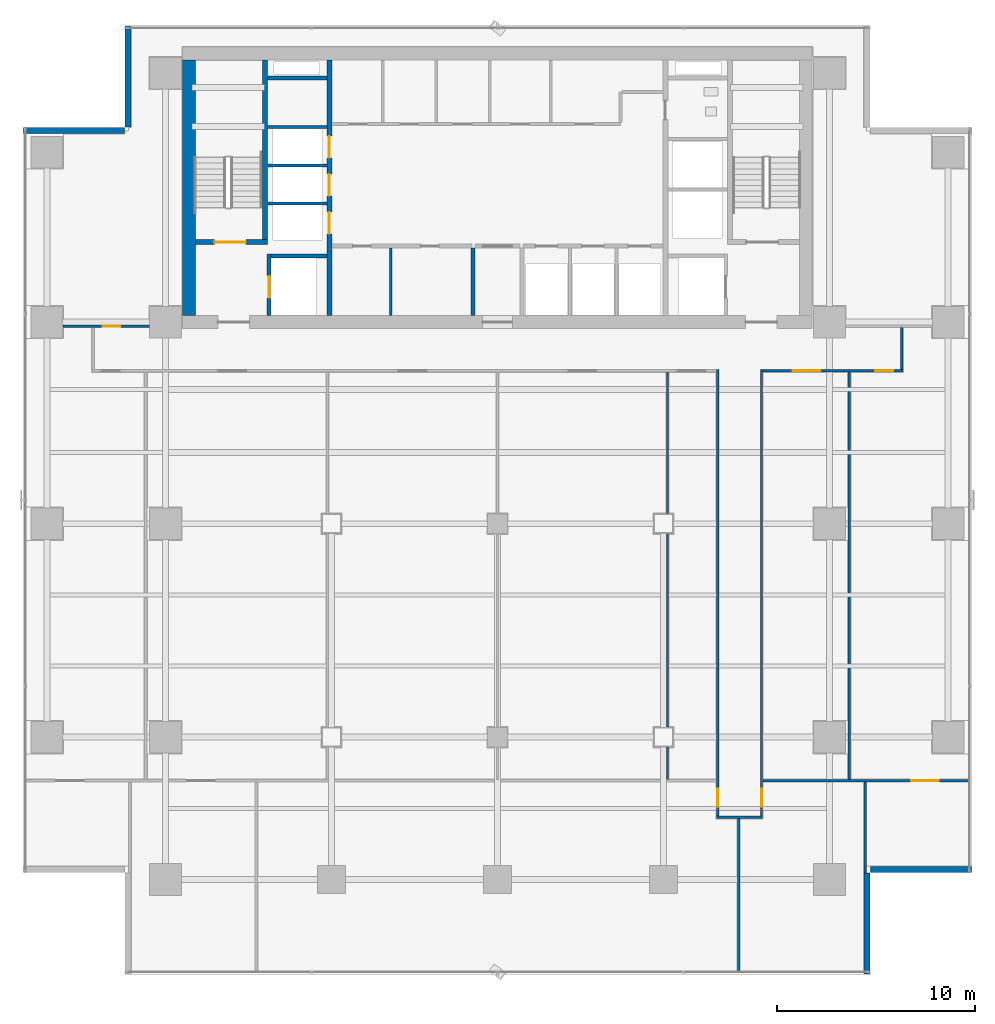
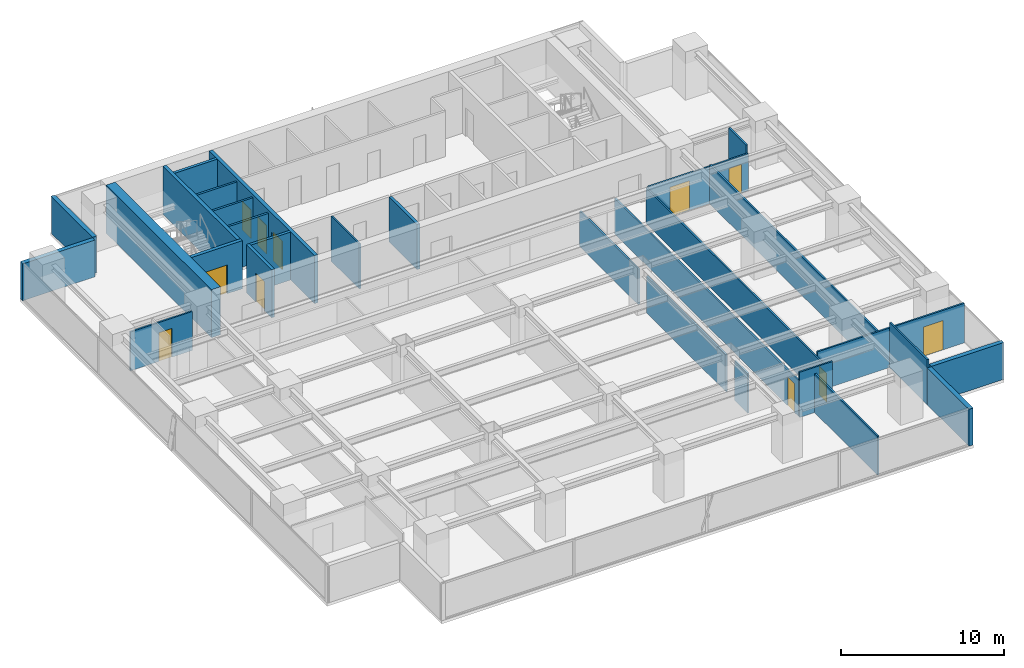
# One storey, part 21 of 28: 29 walls, 11 doors, 11 openings.
"""IFC4 building model written with IfcOpenShell, lengths in metres."""

from ifc_helpers import new_model, si_unit, direction, frame, frame_2d, origin, place, context, subcontext, project, spatial, rectangle, extrude, source, transform, mapped, material, layer, layer_set, type_object, element, fill, save


model = new_model("IFC4")

# Units and contexts
model_context = context("Model", 3, precision=1e-05, world=origin(), true_north=direction((0.0, 1.0)))
body_context = subcontext(model_context, "Body", "Model", "MODEL_VIEW")
ifc_project = project(units=[si_unit("LENGTHUNIT", "METRE"), si_unit("AREAUNIT", "SQUARE_METRE"), si_unit("VOLUMEUNIT", "CUBIC_METRE"), si_unit("PLANEANGLEUNIT", "RADIAN"), si_unit("MASSUNIT", "GRAM", prefix="KILO")], contexts=[model_context])

# Site, building, storey
site_placement = place(None, origin())
site = spatial("IfcSite", under=ifc_project, at=site_placement, CompositionType="ELEMENT")
building_placement = place(site_placement, origin())
building = spatial("IfcBuilding", under=site, at=building_placement, Name="Sumidabori Civic Tower", CompositionType="ELEMENT")
storey_placement = place(building_placement, frame((0.0, 0.0, 178.39990234375)))
storey = spatial("IfcBuildingStorey", under=building, at=storey_placement, Name="L46", CompositionType="ELEMENT", Elevation=178.39990234375)

# Walls
ifc_material_1 = material(Name="Concrete C50/60", Category="concrete")
ifc_layer_1 = layer(ifc_material_1, 0.199951171875, Name="Concrete C50/60")
ifc_layer_set_1 = layer_set([ifc_layer_1], Name="Concrete C50/60")
wall_type_1 = type_object("IfcWallType", Name="WL-SHAFT-200", PredefinedType="SHEAR", material=ifc_layer_set_1)
shared_shape_1 = source(origin(), body_context, "Body", "SweptSolid", [
    extrude(rectangle(XDim=2.824951171875, YDim=0.199951171875, at=frame_2d((1.41259765625, 0.0))), origin(), (0.0, 0.0, 1.0), 3.60009765625),
])
wall_1_placement = place(storey_placement, frame((-11.449951171875, 13.550048828125, 0.0), z_axis=(0.0, 0.0, 1.0), x_axis=(1.0, 0.0, 0.0)))
element("IfcWall", 1, at=wall_1_placement, inside=storey, type_object=wall_type_1, Name="Core Shear Wall L46 EL1-N", PredefinedType="SHEAR", context=body_context, shape_type="MappedRepresentation", body=[
    mapped(shared_shape_1, transform((0.0, 0.0, 0.0), x_axis=(1.0, 0.0, 0.0), y_axis=(0.0, 1.0, 0.0), z_axis=(0.0, 0.0, 1.0), scale=1.0)),
])
shared_shape_2 = source(origin(), body_context, "Body", "SweptSolid", [
    extrude(rectangle(XDim=3.02001953125, YDim=0.199951171875, at=frame_2d((1.510009765625, 0.0))), origin(), (0.0, 0.0, 1.0), 3.60009765625),
])
wall_2_placement = place(storey_placement, frame((-11.64501953125, 22.550048828125, 0.0), z_axis=(0.0, 0.0, 1.0), x_axis=(1.0, 0.0, 0.0)))
element("IfcWall", 2, at=wall_2_placement, inside=storey, type_object=wall_type_1, Name="Core Shear Wall L46 RIS1-S", PredefinedType="SHEAR", context=body_context, shape_type="MappedRepresentation", body=[
    mapped(shared_shape_2, transform((0.0, 0.0, 0.0), x_axis=(1.0, 0.0, 0.0), y_axis=(0.0, 1.0, 0.0), z_axis=(0.0, 0.0, 1.0), scale=1.0)),
])
ifc_material_2 = material(Name="Concrete C60/75", Category="concrete")
ifc_layer_2 = layer(ifc_material_2, 0.64990234375, Name="Concrete C60/75")
ifc_layer_set_2 = layer_set([ifc_layer_2], Name="Concrete C60/75")
wall_type_2 = type_object("IfcWallType", Name="WL-CORE-650", PredefinedType="SHEAR", material=ifc_layer_set_2)
shared_shape_3 = source(origin(), body_context, "Body", "SweptSolid", [
    extrude(rectangle(XDim=12.9501953125, YDim=0.64990234375, at=frame_2d((6.47509765625, 0.0))), origin(), (0.0, 0.0, 1.0), 3.60009765625),
])
wall_3_placement = place(storey_placement, frame((-15.60009765625, 10.52490234375, 0.0), z_axis=(0.0, 0.0, 1.0), x_axis=(0.0, 1.0, 0.0)))
element("IfcWall", 3, at=wall_3_placement, inside=storey, type_object=wall_type_2, Name="Core Shear Wall L46 W", PredefinedType="SHEAR", context=body_context, shape_type="MappedRepresentation", body=[
    mapped(shared_shape_3, transform((0.0, 0.0, 0.0), x_axis=(1.0, 0.0, 0.0), y_axis=(0.0, 1.0, 0.0), z_axis=(0.0, 0.0, 1.0), scale=1.0)),
])

# Wall, openings, doors
ifc_layer_3 = layer(ifc_material_1, 0.25, Name="Concrete C50/60")
ifc_layer_set_3 = layer_set([ifc_layer_3], Name="Concrete C50/60")
wall_type_3 = type_object("IfcWallType", Name="WL-SHAFT-250", PredefinedType="SHEAR", material=ifc_layer_set_3)
shared_shape_4 = source(origin(), body_context, "Body", "SweptSolid", [
    extrude(rectangle(XDim=12.9501953125, YDim=0.25, at=frame_2d((6.47509765625, 0.0))), origin(), (0.0, 0.0, 1.0), 3.60009765625),
])
wall_4_placement = place(storey_placement, frame((-8.5, 10.52490234375, 0.0), z_axis=(0.0, 0.0, 1.0), x_axis=(0.0, 1.0, 0.0)))
wall_4 = element("IfcWall", 4, at=wall_4_placement, inside=storey, type_object=wall_type_3, Name="Core Shear Wall L46 WEB-W", PredefinedType="SHEAR", context=body_context, shape_type="MappedRepresentation", body=[
    mapped(shared_shape_4, transform((0.0, 0.0, 0.0), x_axis=(1.0, 0.0, 0.0), y_axis=(0.0, 1.0, 0.0), z_axis=(0.0, 0.0, 1.0), scale=1.0)),
])
opening_1_placement = place(wall_4_placement, frame((4.14501953125, 0.0, 0.0)))
opening_1 = element("IfcOpeningElement", 5, at=opening_1_placement, cuts=wall_4, Name="Opening LD-1", PredefinedType="OPENING", context=body_context, shape_type="SweptSolid", body=[
    extrude(rectangle(XDim=1.10009765625, YDim=2.14990234375, at=frame_2d((0.550048828125, 1.074951171875))), frame((0.0, 0.136962890625, 0.0), z_axis=(0.0, -1.0, 0.0), x_axis=(1.0, 0.0, 0.0)), (0.0, 0.0, 1.0), 0.27392578125),
])
opening_2_placement = place(wall_4_placement, frame((6.06494140625, 0.0, 0.0)))
opening_2 = element("IfcOpeningElement", 6, at=opening_2_placement, cuts=wall_4, Name="Opening LD-1", PredefinedType="OPENING", context=body_context, shape_type="SweptSolid", body=[
    extrude(rectangle(XDim=1.10009765625, YDim=2.14990234375, at=frame_2d((0.550048828125, 1.074951171875))), frame((0.0, 0.136962890625, 0.0), z_axis=(0.0, -1.0, 0.0), x_axis=(1.0, 0.0, 0.0)), (0.0, 0.0, 1.0), 0.27392578125),
])
opening_3_placement = place(wall_4_placement, frame((7.985107421875, 0.0, 0.0)))
opening_3 = element("IfcOpeningElement", 7, at=opening_3_placement, cuts=wall_4, Name="Opening LD-1", PredefinedType="OPENING", context=body_context, shape_type="SweptSolid", body=[
    extrude(rectangle(XDim=1.10009765625, YDim=2.14990234375, at=frame_2d((0.550048828125, 1.074951171875))), frame((0.0, 0.136962890625, 0.0), z_axis=(0.0, -1.0, 0.0), x_axis=(1.0, 0.0, 0.0)), (0.0, 0.0, 1.0), 0.27392578125),
])
ifc_material_3 = material(Name="Stainless Steel Hairline Finish", Category="steel")
door_type_1 = type_object("IfcDoorType", Name="DR-LD1", OperationType="DOUBLE_DOOR_SLIDING", PredefinedType="DOOR", material=ifc_material_3)
shared_shape_5 = source(origin(), body_context, "Body", "SweptSolid", [
    extrude(rectangle(XDim=1.10009765625, YDim=2.14990234375, at=frame_2d((0.550048828125, 1.074951171875))), frame((0.0, 0.02490234375, 0.0), z_axis=(0.0, -1.0, 0.0), x_axis=(1.0, 0.0, 0.0)), (0.0, 0.0, 1.0), 0.050048828125),
])
door_1_placement = place(opening_1_placement, origin())
door_1 = element("IfcDoor", 8, at=door_1_placement, inside=storey, type_object=door_type_1, Name="Door DR:L46:LD-PLH1", OperationType="DOUBLE_DOOR_SLIDING", OverallHeight=2.14990234375, OverallWidth=1.10009765625, PredefinedType="DOOR", context=body_context, shape_type="MappedRepresentation", body=[
    mapped(shared_shape_5, transform((0.0, 0.0, 0.0), x_axis=(1.0, 0.0, 0.0), y_axis=(0.0, 1.0, 0.0), z_axis=(0.0, 0.0, 1.0), scale=1.0)),
])
fill(opening_1, door_1)
door_2_placement = place(opening_2_placement, origin())
door_2 = element("IfcDoor", 9, at=door_2_placement, inside=storey, type_object=door_type_1, Name="Door DR:L46:LD-PLH2", OperationType="DOUBLE_DOOR_SLIDING", OverallHeight=2.14990234375, OverallWidth=1.10009765625, PredefinedType="DOOR", context=body_context, shape_type="MappedRepresentation", body=[
    mapped(shared_shape_5, transform((0.0, 0.0, 0.0), x_axis=(1.0, 0.0, 0.0), y_axis=(0.0, 1.0, 0.0), z_axis=(0.0, 0.0, 1.0), scale=1.0)),
])
fill(opening_2, door_2)
door_3_placement = place(opening_3_placement, origin())
door_3 = element("IfcDoor", 10, at=door_3_placement, inside=storey, type_object=door_type_1, Name="Door DR:L46:LD-PLH3", OperationType="DOUBLE_DOOR_SLIDING", OverallHeight=2.14990234375, OverallWidth=1.10009765625, PredefinedType="DOOR", context=body_context, shape_type="MappedRepresentation", body=[
    mapped(shared_shape_5, transform((0.0, 0.0, 0.0), x_axis=(1.0, 0.0, 0.0), y_axis=(0.0, 1.0, 0.0), z_axis=(0.0, 0.0, 1.0), scale=1.0)),
])
fill(opening_3, door_3)

# Wall, opening, door
shared_shape_6 = source(origin(), body_context, "Body", "SweptSolid", [
    extrude(rectangle(XDim=3.6298828125, YDim=0.25, at=frame_2d((1.81494140625, 0.0))), origin(), (0.0, 0.0, 1.0), 3.60009765625),
])
wall_5_placement = place(storey_placement, frame((-15.27490234375, 14.25, 0.0), z_axis=(0.0, 0.0, 1.0), x_axis=(1.0, 0.0, 0.0)))
wall_5 = element("IfcWall", 11, at=wall_5_placement, inside=storey, type_object=wall_type_3, Name="Core Shear Wall L46 ST1-S", PredefinedType="SHEAR", context=body_context, shape_type="MappedRepresentation", body=[
    mapped(shared_shape_6, transform((0.0, 0.0, 0.0), x_axis=(1.0, 0.0, 0.0), y_axis=(0.0, 1.0, 0.0), z_axis=(0.0, 0.0, 1.0), scale=1.0)),
])
opening_4_placement = place(wall_5_placement, frame((0.949951171875, 0.0, 0.0)))
opening_4 = element("IfcOpeningElement", 12, at=opening_4_placement, cuts=wall_5, Name="Opening DR-FD4", PredefinedType="OPENING", context=body_context, shape_type="SweptSolid", body=[
    extrude(rectangle(XDim=1.60009765625, YDim=2.14990234375, at=frame_2d((0.800048828125, 1.074951171875))), frame((0.0, 0.136962890625, 0.0), z_axis=(0.0, -1.0, 0.0), x_axis=(1.0, 0.0, 0.0)), (0.0, 0.0, 1.0), 0.27392578125),
])
ifc_material_4 = material(Name="Steel SN490", Category="steel")
door_type_2 = type_object("IfcDoorType", Name="DR-FD4", OperationType="DOUBLE_DOOR_SINGLE_SWING", PredefinedType="DOOR", material=ifc_material_4)
shared_shape_7 = source(origin(), body_context, "Body", "SweptSolid", [
    extrude(rectangle(XDim=1.60009765625, YDim=2.14990234375, at=frame_2d((0.800048828125, 1.074951171875))), frame((0.0, 0.02490234375, 0.0), z_axis=(0.0, -1.0, 0.0), x_axis=(1.0, 0.0, 0.0)), (0.0, 0.0, 1.0), 0.050048828125),
])
door_4_placement = place(opening_4_placement, origin())
door_4 = element("IfcDoor", 13, at=door_4_placement, inside=storey, type_object=door_type_2, Name="Door DR:L46:ST1", OperationType="DOUBLE_DOOR_SINGLE_SWING", OverallHeight=2.14990234375, OverallWidth=1.60009765625, PredefinedType="DOOR", context=body_context, shape_type="MappedRepresentation", body=[
    mapped(shared_shape_7, transform((0.0, 0.0, 0.0), x_axis=(1.0, 0.0, 0.0), y_axis=(0.0, 1.0, 0.0), z_axis=(0.0, 0.0, 1.0), scale=1.0)),
])
fill(opening_4, door_4)

# Wall
shared_shape_8 = source(origin(), body_context, "Body", "SweptSolid", [
    extrude(rectangle(XDim=9.10009765625, YDim=0.25, at=frame_2d((4.550048828125, 0.0))), origin(), (0.0, 0.0, 1.0), 3.60009765625),
])
wall_6_placement = place(storey_placement, frame((-11.77001953125, 14.375, 0.0), z_axis=(0.0, 0.0, 1.0), x_axis=(0.0, 1.0, 0.0)))
element("IfcWall", 14, at=wall_6_placement, inside=storey, type_object=wall_type_3, Name="Core Shear Wall L46 ST1-E", PredefinedType="SHEAR", context=body_context, shape_type="MappedRepresentation", body=[
    mapped(shared_shape_8, transform((0.0, 0.0, 0.0), x_axis=(1.0, 0.0, 0.0), y_axis=(0.0, 1.0, 0.0), z_axis=(0.0, 0.0, 1.0), scale=1.0)),
])

# Wall, opening, door
shared_shape_9 = source(origin(), body_context, "Body", "SweptSolid", [
    extrude(rectangle(XDim=3.125, YDim=0.199951171875, at=frame_2d((1.5625, 0.0))), origin(), (0.0, 0.0, 1.0), 3.60009765625),
])
wall_7_placement = place(storey_placement, frame((-11.550048828125, 10.52490234375, 0.0), z_axis=(0.0, 0.0, 1.0), x_axis=(0.0, 1.0, 0.0)))
wall_7 = element("IfcWall", 15, at=wall_7_placement, inside=storey, type_object=wall_type_1, Name="Core Shear Wall L46 EL1-W", PredefinedType="SHEAR", context=body_context, shape_type="MappedRepresentation", body=[
    mapped(shared_shape_9, transform((0.0, 0.0, 0.0), x_axis=(1.0, 0.0, 0.0), y_axis=(0.0, 1.0, 0.0), z_axis=(0.0, 0.0, 1.0), scale=1.0)),
])
opening_5_placement = place(wall_7_placement, frame((0.89990234375, 0.0, 0.0)))
opening_5 = element("IfcOpeningElement", 16, at=opening_5_placement, cuts=wall_7, Name="Opening LD-2", PredefinedType="OPENING", context=body_context, shape_type="SweptSolid", body=[
    extrude(rectangle(XDim=1.10009765625, YDim=2.14990234375, at=frame_2d((0.550048828125, 1.074951171875))), frame((0.0, 0.11181640625, 0.0), z_axis=(0.0, -1.0, 0.0), x_axis=(1.0, 0.0, 0.0)), (0.0, 0.0, 1.0), 0.223876953125),
])
door_type_3 = type_object("IfcDoorType", Name="DR-LD2", OperationType="DOUBLE_DOOR_SLIDING", PredefinedType="DOOR", material=ifc_material_3)
door_5_placement = place(opening_5_placement, origin())
door_5 = element("IfcDoor", 17, at=door_5_placement, inside=storey, type_object=door_type_3, Name="Door DR:L46:LD-EL1", OperationType="DOUBLE_DOOR_SLIDING", OverallHeight=2.14990234375, OverallWidth=1.10009765625, PredefinedType="DOOR", context=body_context, shape_type="MappedRepresentation", body=[
    mapped(shared_shape_5, transform((0.0, 0.0, 0.0), x_axis=(1.0, 0.0, 0.0), y_axis=(0.0, 1.0, 0.0), z_axis=(0.0, 0.0, 1.0), scale=1.0)),
])
fill(opening_5, door_5)

# Walls
ifc_material_5 = material(Name="Precast concrete C40/50", Category="concrete")
ifc_layer_4 = layer(ifc_material_5, 0.300048828125, Name="Precast concrete C40/50")
ifc_layer_set_4 = layer_set([ifc_layer_4], Name="Precast concrete C40/50")
wall_type_4 = type_object("IfcWallType", Name="WL-EXT-POD300", PredefinedType="STANDARD", material=ifc_layer_set_4)
shared_shape_10 = source(origin(), body_context, "Body", "SweptSolid", [
    extrude(rectangle(XDim=5.110107421875, YDim=0.300048828125, at=frame_2d((2.55517578125, 0.0))), origin(), (0.0, 0.0, 1.0), 2.760009765625),
])
wall_8_placement = place(storey_placement, frame((18.699951171875, -22.780029296875, 0.0), z_axis=(0.0, 0.0, 1.0), x_axis=(0.0, 1.0, 0.0)))
element("IfcWall", 18, at=wall_8_placement, inside=storey, type_object=wall_type_4, Name="Notched Corner Spandrel Band L46-02", PredefinedType="STANDARD", context=body_context, shape_type="MappedRepresentation", body=[
    mapped(shared_shape_10, transform((0.0, 0.0, 0.0), x_axis=(1.0, 0.0, 0.0), y_axis=(0.0, 1.0, 0.0), z_axis=(0.0, 0.0, 1.0), scale=1.0)),
])
shared_shape_11 = source(origin(), body_context, "Body", "SweptSolid", [
    extrude(rectangle(XDim=5.10986328125, YDim=0.300048828125, at=frame_2d((2.554931640625, 0.0))), origin(), (0.0, 0.0, 1.0), 2.760009765625),
])
for number, where, z_axis, x_axis, name in (
    (19, (18.8701171875, -17.5, 0.0), (0.0, 0.0, 1.0), (1.0, 0.0, 0.0), "Notched Corner Spandrel Band L46-03"),
    (20, (-18.699951171875, 25.179931640625, 0.0), (0.0, 0.0, 1.0), (0.0, -1.0, 0.0), "Notched Corner Spandrel Band L46-08"),
    (21, (-18.8701171875, 19.89990234375, 0.0), (0.0, 0.0, 1.0), (-1.0, 0.0, 0.0), "Notched Corner Spandrel Band L46-09"),
):
    element("IfcWall", number, at=place(storey_placement, frame(where, z_axis=z_axis, x_axis=x_axis)), inside=storey, type_object=wall_type_4, Name=name, PredefinedType="STANDARD", context=body_context, shape_type="MappedRepresentation", body=[
        mapped(shared_shape_11, transform((0.0, 0.0, 0.0), x_axis=(1.0, 0.0, 0.0), y_axis=(0.0, 1.0, 0.0), z_axis=(0.0, 0.0, 1.0), scale=1.0)),
    ])
ifc_material_6 = material(Name="Gypsum Plasterboard Acoustic Partition")
ifc_layer_5 = layer(ifc_material_6, 0.14990234375, Name="Gypsum Plasterboard Acoustic Partition")
ifc_layer_set_5 = layer_set([ifc_layer_5], Name="Gypsum Plasterboard Acoustic Partition")
wall_type_5 = type_object("IfcWallType", Name="WL-PART-150", PredefinedType="PARTITIONING", material=ifc_layer_set_5)
shared_shape_12 = source(origin(), body_context, "Body", "SweptSolid", [
    extrude(rectangle(XDim=3.010009765625, YDim=0.14990234375, at=frame_2d((1.5048828125, 0.0))), origin(), (0.0, 0.0, 1.0), 3.380126953125),
])
for number, where, z_axis, x_axis, name in (
    (22, (-11.639892578125, 16.199951171875, 0.0), (0.0, 0.0, 1.0), (1.0, 0.0, 0.0), "Interior Partition WL:L46:DIV-PLH1"),
    (23, (-11.639892578125, 18.1201171875, 0.0), (0.0, 0.0, 1.0), (1.0, 0.0, 0.0), "Interior Partition WL:L46:DIV-PLH2"),
    (24, (-11.639892578125, 20.080078125, 0.0), (0.0, 0.0, 1.0), (1.0, 0.0, 0.0), "Interior Partition WL:L46:DIV-PLH3"),
):
    element("IfcWall", number, at=place(storey_placement, frame(where, z_axis=z_axis, x_axis=x_axis)), inside=storey, type_object=wall_type_5, Name=name, PredefinedType="PARTITIONING", context=body_context, shape_type="MappedRepresentation", body=[
        mapped(shared_shape_12, transform((0.0, 0.0, 0.0), x_axis=(1.0, 0.0, 0.0), y_axis=(0.0, 1.0, 0.0), z_axis=(0.0, 0.0, 1.0), scale=1.0)),
    ])
ifc_material_7 = material(Name="Gypsum Plasterboard Fire Partition")
ifc_layer_6 = layer(ifc_material_7, 0.199951171875, Name="Gypsum Plasterboard Fire Partition")
ifc_layer_set_6 = layer_set([ifc_layer_6], Name="Gypsum Plasterboard Fire Partition")
wall_type_6 = type_object("IfcWallType", Name="WL-PART-FIRE", PredefinedType="PARTITIONING", material=ifc_layer_set_6)
shared_shape_13 = source(origin(), body_context, "Body", "SweptSolid", [
    extrude(rectangle(XDim=3.4150390625, YDim=0.199951171875, at=frame_2d((1.70751953125, 0.0))), origin(), (0.0, 0.0, 1.0), 3.380126953125),
])
wall_9_placement = place(storey_placement, frame((-1.25, 10.52490234375, 0.0), z_axis=(0.0, 0.0, 1.0), x_axis=(0.0, 1.0, 0.0)))
element("IfcWall", 25, at=wall_9_placement, inside=storey, type_object=wall_type_6, Name="Interior Partition WL:L46:THROAT-W", PredefinedType="PARTITIONING", context=body_context, shape_type="MappedRepresentation", body=[
    mapped(shared_shape_13, transform((0.0, 0.0, 0.0), x_axis=(1.0, 0.0, 0.0), y_axis=(0.0, 1.0, 0.0), z_axis=(0.0, 0.0, 1.0), scale=1.0)),
])
ifc_layer_7 = layer(ifc_material_6, 0.1201171875, Name="Gypsum Plasterboard Acoustic Partition")
ifc_layer_set_7 = layer_set([ifc_layer_7], Name="Gypsum Plasterboard Acoustic Partition")
wall_type_7 = type_object("IfcWallType", Name="WL-PART-120", PredefinedType="PARTITIONING", material=ifc_layer_set_7)
shared_shape_14 = source(origin(), body_context, "Body", "SweptSolid", [
    extrude(rectangle(XDim=3.4150390625, YDim=0.1201171875, at=frame_2d((1.70751953125, 0.0))), origin(), (0.0, 0.0, 1.0), 3.380126953125),
])
wall_10_placement = place(storey_placement, frame((-5.39990234375, 10.52490234375, 0.0), z_axis=(0.0, 0.0, 1.0), x_axis=(0.0, 1.0, 0.0)))
element("IfcWall", 26, at=wall_10_placement, inside=storey, type_object=wall_type_7, Name="Interior Partition WL:L46:REC-B1-SP", PredefinedType="PARTITIONING", context=body_context, shape_type="MappedRepresentation", body=[
    mapped(shared_shape_14, transform((0.0, 0.0, 0.0), x_axis=(1.0, 0.0, 0.0), y_axis=(0.0, 1.0, 0.0), z_axis=(0.0, 0.0, 1.0), scale=1.0)),
])

# Wall, opening, door
shared_shape_15 = source(origin(), body_context, "Body", "SweptSolid", [
    extrude(rectangle(XDim=4.3798828125, YDim=0.1201171875, at=frame_2d((2.18994140625, 0.0))), origin(), (0.0, 0.0, 1.0), 2.9150390625),
])
wall_11_placement = place(storey_placement, frame((-21.989990234375, 10.0, 0.0), z_axis=(0.0, 0.0, 1.0), x_axis=(1.0, 0.0, 0.0)))
wall_11 = element("IfcWall", 27, at=wall_11_placement, inside=storey, type_object=wall_type_7, Name="Interior Partition WL:L46:FLK-NW", PredefinedType="PARTITIONING", context=body_context, shape_type="MappedRepresentation", body=[
    mapped(shared_shape_15, transform((0.0, 0.0, 0.0), x_axis=(1.0, 0.0, 0.0), y_axis=(0.0, 1.0, 0.0), z_axis=(0.0, 0.0, 1.0), scale=1.0)),
])
opening_6_placement = place(wall_11_placement, frame((2.014892578125, 0.0, 0.0)))
opening_6 = element("IfcOpeningElement", 28, at=opening_6_placement, cuts=wall_11, Name="Opening DR-1", PredefinedType="OPENING", context=body_context, shape_type="SweptSolid", body=[
    extrude(rectangle(XDim=0.89990234375, YDim=2.14990234375, at=frame_2d((0.449951171875, 1.074951171875))), frame((0.0, 0.072021484375, 0.0), z_axis=(0.0, -1.0, 0.0), x_axis=(1.0, 0.0, 0.0)), (0.0, 0.0, 1.0), 0.14404296875),
])
ifc_material_8 = material(Name="Japanese Hinoki Timber", Category="wood")
door_type_4 = type_object("IfcDoorType", Name="DR-INT-900", OperationType="NOTDEFINED", PredefinedType="DOOR", material=ifc_material_8)
shared_shape_16 = source(origin(), body_context, "Body", "SweptSolid", [
    extrude(rectangle(XDim=0.89990234375, YDim=2.14990234375, at=frame_2d((0.449951171875, 1.074951171875))), frame((0.0, 0.02490234375, 0.0), z_axis=(0.0, -1.0, 0.0), x_axis=(1.0, 0.0, 0.0)), (0.0, 0.0, 1.0), 0.050048828125),
])
door_6_placement = place(opening_6_placement, origin())
door_6 = element("IfcDoor", 29, at=door_6_placement, inside=storey, type_object=door_type_4, Name="Door DR:L46:FLK-NW", OperationType="SINGLE_SWING_LEFT", OverallHeight=2.14990234375, OverallWidth=0.89990234375, PredefinedType="DOOR", context=body_context, shape_type="MappedRepresentation", body=[
    mapped(shared_shape_16, transform((0.0, 0.0, 0.0), x_axis=(1.0, 0.0, 0.0), y_axis=(0.0, 1.0, 0.0), z_axis=(0.0, 0.0, 1.0), scale=1.0)),
])
fill(opening_6, door_6)

# Wall, openings, doors
shared_shape_17 = source(origin(), body_context, "Body", "SweptSolid", [
    extrude(rectangle(XDim=7.10009765625, YDim=0.1201171875, at=frame_2d((3.550048828125, 0.0))), origin(), (0.0, 0.0, 1.0), 2.76513671875),
])
wall_12_placement = place(storey_placement, frame((13.419921875, 7.739990234375, 0.0), z_axis=(0.0, 0.0, 1.0), x_axis=(1.0, 0.0, 0.0)))
wall_12 = element("IfcWall", 30, at=wall_12_placement, inside=storey, type_object=wall_type_7, Name="Interior Partition WL:L46:CORR-SE", PredefinedType="PARTITIONING", context=body_context, shape_type="MappedRepresentation", body=[
    mapped(shared_shape_17, transform((0.0, 0.0, 0.0), x_axis=(1.0, 0.0, 0.0), y_axis=(0.0, 1.0, 0.0), z_axis=(0.0, 0.0, 1.0), scale=1.0)),
])
opening_7_placement = place(wall_12_placement, frame((5.699951171875, 0.0, 0.0)))
opening_7 = element("IfcOpeningElement", 31, at=opening_7_placement, cuts=wall_12, Name="Opening DR-1", PredefinedType="OPENING", context=body_context, shape_type="SweptSolid", body=[
    extrude(rectangle(XDim=0.89990234375, YDim=2.14990234375, at=frame_2d((0.449951171875, 1.074951171875))), frame((0.0, 0.072021484375, 0.0), z_axis=(0.0, -1.0, 0.0), x_axis=(1.0, 0.0, 0.0)), (0.0, 0.0, 1.0), 0.14404296875),
])
opening_8_placement = place(wall_12_placement, frame((1.52001953125, 0.0, 0.0)))
opening_8 = element("IfcOpeningElement", 32, at=opening_8_placement, cuts=wall_12, Name="Opening DR-5", PredefinedType="OPENING", context=body_context, shape_type="SweptSolid", body=[
    extrude(rectangle(XDim=1.39990234375, YDim=2.199951171875, at=frame_2d((0.699951171875, 1.10009765625))), frame((0.0, 0.072021484375, 0.0), z_axis=(0.0, -1.0, 0.0), x_axis=(1.0, 0.0, 0.0)), (0.0, 0.0, 1.0), 0.14404296875),
])
door_7_placement = place(opening_7_placement, origin())
door_7 = element("IfcDoor", 33, at=door_7_placement, inside=storey, type_object=door_type_4, Name="Door DR:L46:D03", OperationType="SINGLE_SWING_LEFT", OverallHeight=2.14990234375, OverallWidth=0.89990234375, PredefinedType="DOOR", context=body_context, shape_type="MappedRepresentation", body=[
    mapped(shared_shape_16, transform((0.0, 0.0, 0.0), x_axis=(1.0, 0.0, 0.0), y_axis=(0.0, 1.0, 0.0), z_axis=(0.0, 0.0, 1.0), scale=1.0)),
])
fill(opening_7, door_7)
ifc_material_9 = material(Name="Anodised Bronze Aluminium AW-6063-T6", Category="aluminium")
door_type_5 = type_object("IfcDoorType", Name="DR-DBL-1400", OperationType="DOUBLE_DOOR_SINGLE_SWING", PredefinedType="DOOR", material=ifc_material_9)
shared_shape_18 = source(origin(), body_context, "Body", "SweptSolid", [
    extrude(rectangle(XDim=1.39990234375, YDim=2.199951171875, at=frame_2d((0.699951171875, 1.10009765625))), frame((0.0, 0.02490234375, 0.0), z_axis=(0.0, -1.0, 0.0), x_axis=(1.0, 0.0, 0.0)), (0.0, 0.0, 1.0), 0.050048828125),
])
door_8_placement = place(opening_8_placement, origin())
door_8 = element("IfcDoor", 34, at=door_8_placement, inside=storey, type_object=door_type_5, Name="Door DR:L46:D04", OperationType="DOUBLE_DOOR_SINGLE_SWING", OverallHeight=2.199951171875, OverallWidth=1.39990234375, PredefinedType="DOOR", context=body_context, shape_type="MappedRepresentation", body=[
    mapped(shared_shape_18, transform((0.0, 0.0, 0.0), x_axis=(1.0, 0.0, 0.0), y_axis=(0.0, 1.0, 0.0), z_axis=(0.0, 0.0, 1.0), scale=1.0)),
])
fill(opening_8, door_8)

# Walls
shared_shape_19 = source(origin(), body_context, "Body", "SweptSolid", [
    extrude(rectangle(XDim=2.33984375, YDim=0.1201171875, at=frame_2d((1.169921875, 0.0))), origin(), (0.0, 0.0, 1.0), 3.380126953125),
])
wall_13_placement = place(storey_placement, frame((11.080078125, -14.860107421875, 0.0), z_axis=(0.0, 0.0, 1.0), x_axis=(1.0, 0.0, 0.0)))
element("IfcWall", 35, at=wall_13_placement, inside=storey, type_object=wall_type_7, Name="Interior Partition WL:L46:CORR-CAP-E", PredefinedType="PARTITIONING", context=body_context, shape_type="MappedRepresentation", body=[
    mapped(shared_shape_19, transform((0.0, 0.0, 0.0), x_axis=(1.0, 0.0, 0.0), y_axis=(0.0, 1.0, 0.0), z_axis=(0.0, 0.0, 1.0), scale=1.0)),
])
shared_shape_20 = source(origin(), body_context, "Body", "SweptSolid", [
    extrude(rectangle(XDim=2.130126953125, YDim=0.1201171875, at=frame_2d((1.06494140625, 0.0))), origin(), (0.0, 0.0, 1.0), 3.380126953125),
])
wall_14_placement = place(storey_placement, frame((20.4599609375, 7.804931640625, 0.0), z_axis=(0.0, 0.0, 1.0), x_axis=(0.0, 1.0, 0.0)))
element("IfcWall", 36, at=wall_14_placement, inside=storey, type_object=wall_type_7, Name="Interior Partition WL:L46:CORR-VNE", PredefinedType="PARTITIONING", context=body_context, shape_type="MappedRepresentation", body=[
    mapped(shared_shape_20, transform((0.0, 0.0, 0.0), x_axis=(1.0, 0.0, 0.0), y_axis=(0.0, 1.0, 0.0), z_axis=(0.0, 0.0, 1.0), scale=1.0)),
])

# Wall, opening, door
shared_shape_21 = source(origin(), body_context, "Body", "SweptSolid", [
    extrude(rectangle(XDim=22.594970703125, YDim=0.1201171875, at=frame_2d((11.29736328125, 0.0))), origin(), (0.0, 0.0, 1.0), 2.6650390625),
])
wall_15_placement = place(storey_placement, frame((11.139892578125, -14.794921875, 0.0), z_axis=(0.0, 0.0, 1.0), x_axis=(0.0, 1.0, 0.0)))
wall_15 = element("IfcWall", 37, at=wall_15_placement, inside=storey, type_object=wall_type_7, Name="Interior Partition WL:L46:CORR-VL-W", PredefinedType="PARTITIONING", context=body_context, shape_type="MappedRepresentation", body=[
    mapped(shared_shape_21, transform((0.0, 0.0, 0.0), x_axis=(1.0, 0.0, 0.0), y_axis=(0.0, 1.0, 0.0), z_axis=(0.0, 0.0, 1.0), scale=1.0)),
])
opening_9_placement = place(wall_15_placement, frame((0.4775390625, 0.0, 0.0)))
opening_9 = element("IfcOpeningElement", 38, at=opening_9_placement, cuts=wall_15, Name="Opening DR-1", PredefinedType="OPENING", context=body_context, shape_type="SweptSolid", body=[
    extrude(rectangle(XDim=0.89990234375, YDim=2.14990234375, at=frame_2d((0.449951171875, 1.074951171875))), frame((0.0, 0.072021484375, 0.0), z_axis=(0.0, -1.0, 0.0), x_axis=(1.0, 0.0, 0.0)), (0.0, 0.0, 1.0), 0.14404296875),
])
door_9_placement = place(opening_9_placement, origin())
door_9 = element("IfcDoor", 39, at=door_9_placement, inside=storey, type_object=door_type_4, Name="Door DR:L46:D09", OperationType="SINGLE_SWING_LEFT", OverallHeight=2.14990234375, OverallWidth=0.89990234375, PredefinedType="DOOR", context=body_context, shape_type="MappedRepresentation", body=[
    mapped(shared_shape_16, transform((0.0, 0.0, 0.0), x_axis=(1.0, 0.0, 0.0), y_axis=(0.0, 1.0, 0.0), z_axis=(0.0, 0.0, 1.0), scale=1.0)),
])
fill(opening_9, door_9)

wall_16_placement = place(storey_placement, frame((13.360107421875, -14.794921875, 0.0), z_axis=(0.0, 0.0, 1.0), x_axis=(0.0, 1.0, 0.0)))
wall_16 = element("IfcWall", 40, at=wall_16_placement, inside=storey, type_object=wall_type_7, Name="Interior Partition WL:L46:CORR-VL-E", PredefinedType="PARTITIONING", context=body_context, shape_type="MappedRepresentation", body=[
    mapped(shared_shape_21, transform((0.0, 0.0, 0.0), x_axis=(1.0, 0.0, 0.0), y_axis=(0.0, 1.0, 0.0), z_axis=(0.0, 0.0, 1.0), scale=1.0)),
])
opening_10_placement = place(wall_16_placement, frame((0.4775390625, 0.0, 0.0)))
opening_10 = element("IfcOpeningElement", 41, at=opening_10_placement, cuts=wall_16, Name="Opening DR-1", PredefinedType="OPENING", context=body_context, shape_type="SweptSolid", body=[
    extrude(rectangle(XDim=0.89990234375, YDim=2.14990234375, at=frame_2d((0.449951171875, 1.074951171875))), frame((0.0, 0.072021484375, 0.0), z_axis=(0.0, -1.0, 0.0), x_axis=(1.0, 0.0, 0.0)), (0.0, 0.0, 1.0), 0.14404296875),
])
door_10_placement = place(opening_10_placement, origin())
door_10 = element("IfcDoor", 42, at=door_10_placement, inside=storey, type_object=door_type_4, Name="Door DR:L46:D10", OperationType="SINGLE_SWING_RIGHT", OverallHeight=2.14990234375, OverallWidth=0.89990234375, PredefinedType="DOOR", context=body_context, shape_type="MappedRepresentation", body=[
    mapped(shared_shape_16, transform((0.0, 0.0, 0.0), x_axis=(1.0, 0.0, 0.0), y_axis=(0.0, 1.0, 0.0), z_axis=(0.0, 0.0, 1.0), scale=1.0)),
])
fill(opening_10, door_10)

shared_shape_22 = source(origin(), body_context, "Body", "SweptSolid", [
    extrude(rectangle(XDim=10.425048828125, YDim=0.1201171875, at=frame_2d((5.21240234375, 0.0))), origin(), (0.0, 0.0, 1.0), 2.965087890625),
])
wall_17_placement = place(storey_placement, frame((13.425048828125, -13.0, 0.0), z_axis=(0.0, 0.0, 1.0), x_axis=(1.0, 0.0, 0.0)))
wall_17 = element("IfcWall", 43, at=wall_17_placement, inside=storey, type_object=wall_type_7, Name="Interior Partition WL:L46:BAND-Y-2", PredefinedType="PARTITIONING", context=body_context, shape_type="MappedRepresentation", body=[
    mapped(shared_shape_22, transform((0.0, 0.0, 0.0), x_axis=(1.0, 0.0, 0.0), y_axis=(0.0, 1.0, 0.0), z_axis=(0.0, 0.0, 1.0), scale=1.0)),
])
opening_11_placement = place(wall_17_placement, frame((7.510009765625, 0.0, 0.0)))
opening_11 = element("IfcOpeningElement", 44, at=opening_11_placement, cuts=wall_17, Name="Opening DR-5", PredefinedType="OPENING", context=body_context, shape_type="SweptSolid", body=[
    extrude(rectangle(XDim=1.39990234375, YDim=2.199951171875, at=frame_2d((0.699951171875, 1.10009765625))), frame((0.0, 0.072021484375, 0.0), z_axis=(0.0, -1.0, 0.0), x_axis=(1.0, 0.0, 0.0)), (0.0, 0.0, 1.0), 0.14404296875),
])
door_11_placement = place(opening_11_placement, origin())
door_11 = element("IfcDoor", 45, at=door_11_placement, inside=storey, type_object=door_type_5, Name="Door DR:L46:D12", OperationType="DOUBLE_DOOR_SINGLE_SWING", OverallHeight=2.199951171875, OverallWidth=1.39990234375, PredefinedType="DOOR", context=body_context, shape_type="MappedRepresentation", body=[
    mapped(shared_shape_18, transform((0.0, 0.0, 0.0), x_axis=(1.0, 0.0, 0.0), y_axis=(0.0, 1.0, 0.0), z_axis=(0.0, 0.0, 1.0), scale=1.0)),
])
fill(opening_11, door_11)

# Walls
shared_shape_23 = source(origin(), body_context, "Body", "SweptSolid", [
    extrude(rectangle(XDim=20.610107421875, YDim=0.1201171875, at=frame_2d((10.30517578125, 0.0))), origin(), (0.0, 0.0, 1.0), 2.9150390625),
])
wall_18_placement = place(storey_placement, frame((17.800048828125, -12.93505859375, 0.0), z_axis=(0.0, 0.0, 1.0), x_axis=(0.0, 1.0, 0.0)))
element("IfcWall", 46, at=wall_18_placement, inside=storey, type_object=wall_type_7, Name="Interior Partition WL:L46:VX-N5", PredefinedType="PARTITIONING", context=body_context, shape_type="MappedRepresentation", body=[
    mapped(shared_shape_23, transform((0.0, 0.0, 0.0), x_axis=(1.0, 0.0, 0.0), y_axis=(0.0, 1.0, 0.0), z_axis=(0.0, 0.0, 1.0), scale=1.0)),
])
shared_shape_24 = source(origin(), body_context, "Body", "SweptSolid", [
    extrude(rectangle(XDim=1.625, YDim=0.1201171875, at=frame_2d((0.8125, 0.0))), origin(), (0.0, 0.0, 1.0), 2.965087890625),
])
wall_19_placement = place(storey_placement, frame((8.60009765625, -12.93505859375, 0.0), z_axis=(0.0, 0.0, 1.0), x_axis=(0.0, 1.0, 0.0)))
element("IfcWall", 47, at=wall_19_placement, inside=storey, type_object=wall_type_7, Name="Interior Partition WL:L46:VX-N4-1", PredefinedType="PARTITIONING", context=body_context, shape_type="MappedRepresentation", body=[
    mapped(shared_shape_24, transform((0.0, 0.0, 0.0), x_axis=(1.0, 0.0, 0.0), y_axis=(0.0, 1.0, 0.0), z_axis=(0.0, 0.0, 1.0), scale=1.0)),
])
shared_shape_25 = source(origin(), body_context, "Body", "SweptSolid", [
    extrude(rectangle(XDim=9.780029296875, YDim=0.1201171875, at=frame_2d((4.89013671875, 0.0))), origin(), (0.0, 0.0, 1.0), 2.76513671875),
])
wall_20_placement = place(storey_placement, frame((8.60009765625, -10.2900390625, 0.0), z_axis=(0.0, 0.0, 1.0), x_axis=(0.0, 1.0, 0.0)))
element("IfcWall", 48, at=wall_20_placement, inside=storey, type_object=wall_type_7, Name="Interior Partition WL:L46:VX-N4-2", PredefinedType="PARTITIONING", context=body_context, shape_type="MappedRepresentation", body=[
    mapped(shared_shape_25, transform((0.0, 0.0, 0.0), x_axis=(1.0, 0.0, 0.0), y_axis=(0.0, 1.0, 0.0), z_axis=(0.0, 0.0, 1.0), scale=1.0)),
])
shared_shape_26 = source(origin(), body_context, "Body", "SweptSolid", [
    extrude(rectangle(XDim=7.1650390625, YDim=0.1201171875, at=frame_2d((3.58251953125, 0.0))), origin(), (0.0, 0.0, 1.0), 2.6650390625),
])
wall_21_placement = place(storey_placement, frame((8.60009765625, 0.510009765625, 0.0), z_axis=(0.0, 0.0, 1.0), x_axis=(0.0, 1.0, 0.0)))
element("IfcWall", 49, at=wall_21_placement, inside=storey, type_object=wall_type_7, Name="Interior Partition WL:L46:VX-N4-3", PredefinedType="PARTITIONING", context=body_context, shape_type="MappedRepresentation", body=[
    mapped(shared_shape_26, transform((0.0, 0.0, 0.0), x_axis=(1.0, 0.0, 0.0), y_axis=(0.0, 1.0, 0.0), z_axis=(0.0, 0.0, 1.0), scale=1.0)),
])
shared_shape_27 = source(origin(), body_context, "Body", "SweptSolid", [
    extrude(rectangle(XDim=4.59716796875, YDim=0.1201171875, at=frame_2d((2.298583984375, 0.0))), origin(), (0.0, 0.0, 1.0), 3.380126953125),
])
wall_22_placement = place(storey_placement, frame((18.60009765625, -17.662109375, 0.0), z_axis=(0.0, 0.0, 1.0), x_axis=(0.0, 1.0, 0.0)))
element("IfcWall", 50, at=wall_22_placement, inside=storey, type_object=wall_type_7, Name="Interior Partition WL:L46:VX-S4", PredefinedType="PARTITIONING", context=body_context, shape_type="MappedRepresentation", body=[
    mapped(shared_shape_27, transform((0.0, 0.0, 0.0), x_axis=(1.0, 0.0, 0.0), y_axis=(0.0, 1.0, 0.0), z_axis=(0.0, 0.0, 1.0), scale=1.0)),
])
shared_shape_28 = source(origin(), body_context, "Body", "SweptSolid", [
    extrude(rectangle(XDim=7.724853515625, YDim=0.1201171875, at=frame_2d((3.8623046875, 0.0))), origin(), (0.0, 0.0, 1.0), 2.9150390625),
])
wall_23_placement = place(storey_placement, frame((12.199951171875, -22.64990234375, 0.0), z_axis=(0.0, 0.0, 1.0), x_axis=(0.0, 1.0, 0.0)))
element("IfcWall", 51, at=wall_23_placement, inside=storey, type_object=wall_type_7, Name="Interior Partition WL:L46:VX-S3", PredefinedType="PARTITIONING", context=body_context, shape_type="MappedRepresentation", body=[
    mapped(shared_shape_28, transform((0.0, 0.0, 0.0), x_axis=(1.0, 0.0, 0.0), y_axis=(0.0, 1.0, 0.0), z_axis=(0.0, 0.0, 1.0), scale=1.0)),
])

save(model, "model.ifc")
